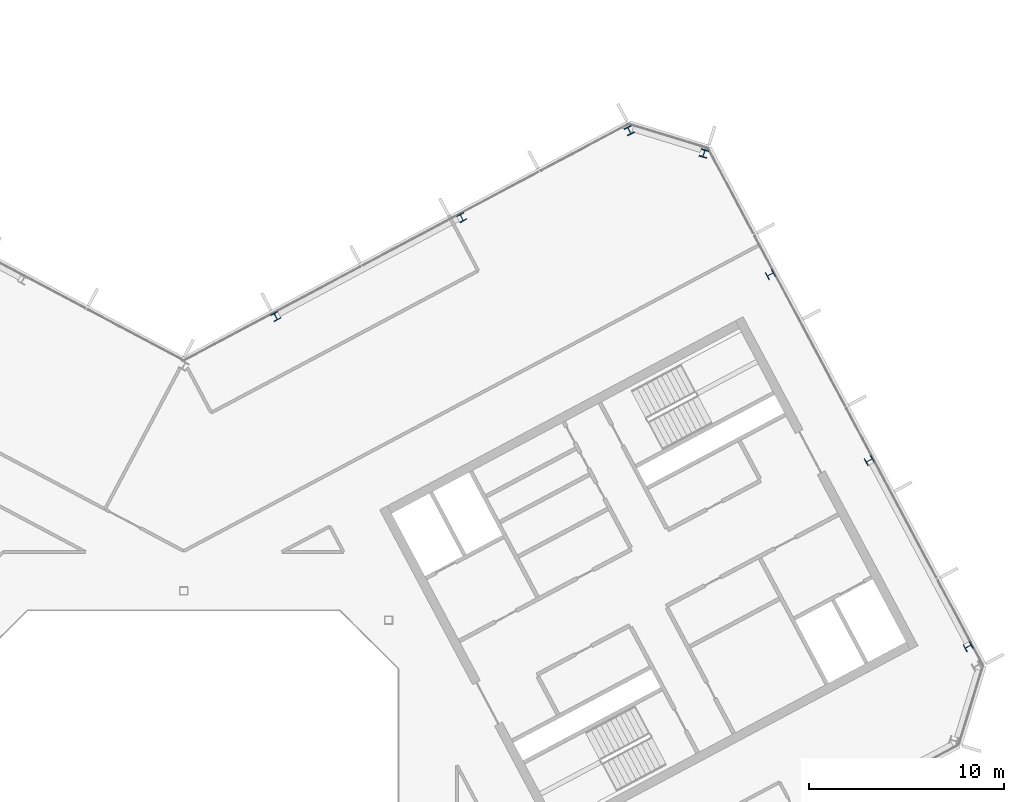
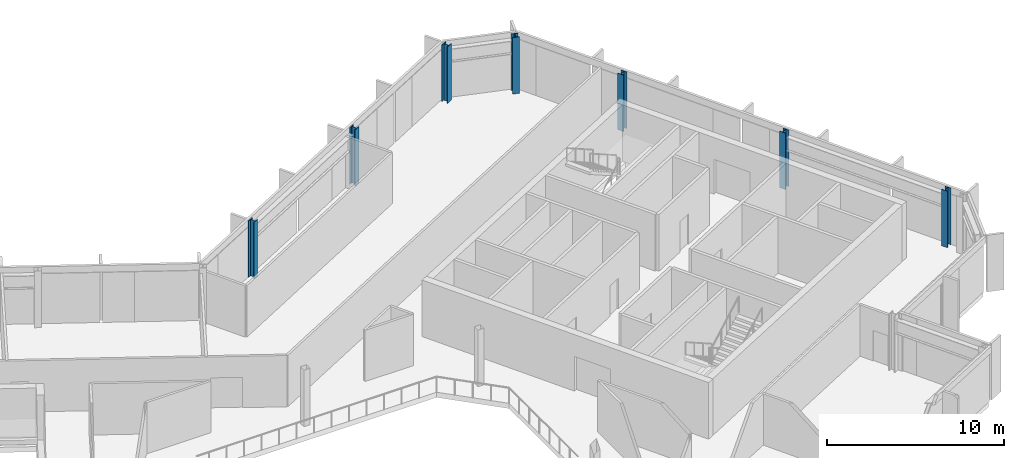
# One storey, part 7 of 25: 7 columns.
"""IFC4 building model written with IfcOpenShell, lengths in metres."""

from ifc_helpers import new_model, si_unit, direction, frame, origin, origin_2d, place, context, subcontext, project, spatial, i_section, extrude, material, material_profile, profile_set, type_object, element, save


model = new_model("IFC4")

# Units and contexts
model_context = context("Model", 3, precision=1e-05, world=origin(), true_north=direction((0.0, 1.0)))
body_context = subcontext(model_context, "Body", "Model", "MODEL_VIEW")
ifc_project = project(units=[si_unit("LENGTHUNIT", "METRE"), si_unit("AREAUNIT", "SQUARE_METRE"), si_unit("VOLUMEUNIT", "CUBIC_METRE"), si_unit("PLANEANGLEUNIT", "RADIAN"), si_unit("MASSUNIT", "GRAM", prefix="KILO")], contexts=[model_context])

# Site, building, storey
site_placement = place(None, origin())
site = spatial("IfcSite", under=ifc_project, at=site_placement, CompositionType="ELEMENT")
building_placement = place(site_placement, origin())
building = spatial("IfcBuilding", under=site, at=building_placement, Name="Cormorant Relay Tower", CompositionType="ELEMENT")
storey_placement = place(building_placement, frame((0.0, 0.0, 265.800048828125)))
storey = spatial("IfcBuildingStorey", under=building, at=storey_placement, Name="L59", CompositionType="ELEMENT", Elevation=265.800048828125)

# Columns
ifc_material_1 = material(Name="Steel ASTM A992 (Fy 345 MPa)", Category="steel")
ifc_material_profile_1 = material_profile(ifc_material_1, i_section(OverallWidth=0.398681640625, OverallDepth=0.385986328125, WebThickness=0.02099609375, FlangeThickness=0.033203125, FilletRadius=0.01513671875, at=origin_2d()), Name="W360x262")
ifc_profile_set_1 = profile_set([ifc_material_profile_1], Name="Steel ASTM A992 (Fy 345 MPa)")
column_type_1 = type_object("IfcColumnType", Name="Column W360x262", PredefinedType="COLUMN", material=ifc_profile_set_1)
for number, where, z_axis, x_axis, name in (
    (1, (40.2119140625, 9.14892578125, 0.0), (0.0, 0.0, 1.0), (-0.469471562786, 0.882947592859, 0.0), "Column L59-021"),
    (2, (35.14111328125, 18.68505859375, 0.0), (0.0, 0.0, 1.0), (-0.469471562786, 0.882947592859, 0.0), "Column L59-027"),
    (3, (4.715087890625, 26.06494140625, 0.0), (0.0, 0.0, 1.0), (-0.882947592859, -0.469471562786, 0.0), "Column L59-031"),
    (4, (30.071044921875, 28.220947265625, 0.0), (0.0, 0.0, 1.0), (-0.469471562786, 0.882947592859, 0.0), "Column L59-033"),
    (5, (14.2509765625, 31.135009765625, 0.0), (0.0, 0.0, 1.0), (-0.882947592859, -0.469471562786, 0.0), "Column L59-035"),
):
    element("IfcColumn", number, at=place(storey_placement, frame(where, z_axis=z_axis, x_axis=x_axis)), inside=storey, type_object=column_type_1, Name=name, PredefinedType="COLUMN", context=body_context, shape_type="SweptSolid", body=[
        extrude(i_section(OverallWidth=0.398681640625, OverallDepth=0.385986328125, WebThickness=0.02099609375, FlangeThickness=0.033203125, FilletRadius=0.01513671875, at=origin_2d()), origin(), (0.0, 0.0, 1.0), 3.89990234375),
    ])
ifc_material_2 = material(Name="Steel ASTM A992 (Fy 345 MPa)", Category="steel")
ifc_material_profile_2 = material_profile(ifc_material_2, i_section(OverallWidth=0.40380859375, OverallDepth=0.406494140625, WebThickness=0.027099609375, FlangeThickness=0.043701171875, FilletRadius=0.01513671875, at=origin_2d()), Name="W360x347")
ifc_profile_set_2 = profile_set([ifc_material_profile_2], Name="Steel ASTM A992 (Fy 345 MPa)")
column_type_2 = type_object("IfcColumnType", Name="Column W360x347", PredefinedType="COLUMN", material=ifc_profile_set_2)
for number, where, z_axis, x_axis, name in (
    (6, (26.6640625, 34.425048828125, 0.0), (0.0, 0.0, 1.0), (-0.956304755963, 0.292371704723, 0.0), "Column L59-038"),
    (7, (22.841064453125, 35.593994140625, 0.0), (0.0, 0.0, 1.0), (-0.882947592859, -0.469471562786, 0.0), "Column L59-039"),
):
    element("IfcColumn", number, at=place(storey_placement, frame(where, z_axis=z_axis, x_axis=x_axis)), inside=storey, type_object=column_type_2, Name=name, PredefinedType="COLUMN", context=body_context, shape_type="SweptSolid", body=[
        extrude(i_section(OverallWidth=0.40380859375, OverallDepth=0.406494140625, WebThickness=0.027099609375, FlangeThickness=0.043701171875, FilletRadius=0.01513671875, at=origin_2d()), origin(), (0.0, 0.0, 1.0), 3.89990234375),
    ])

save(model, "model.ifc")
